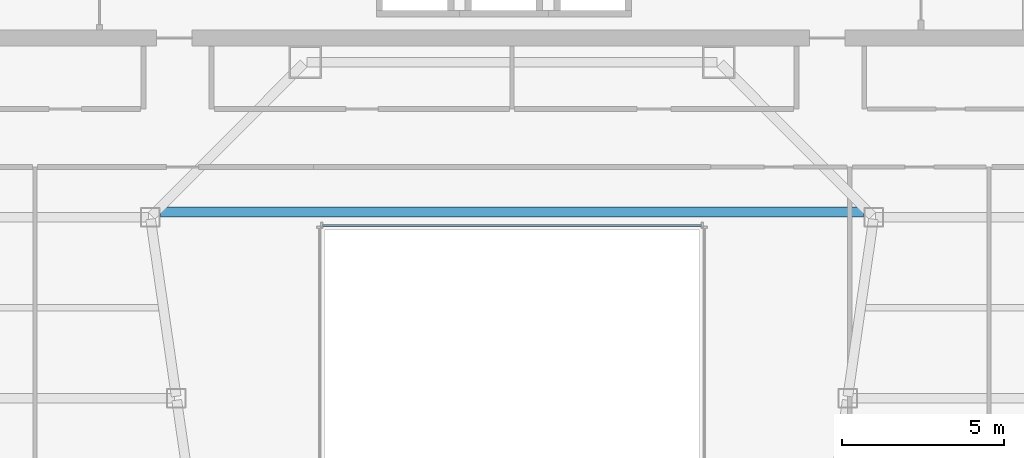
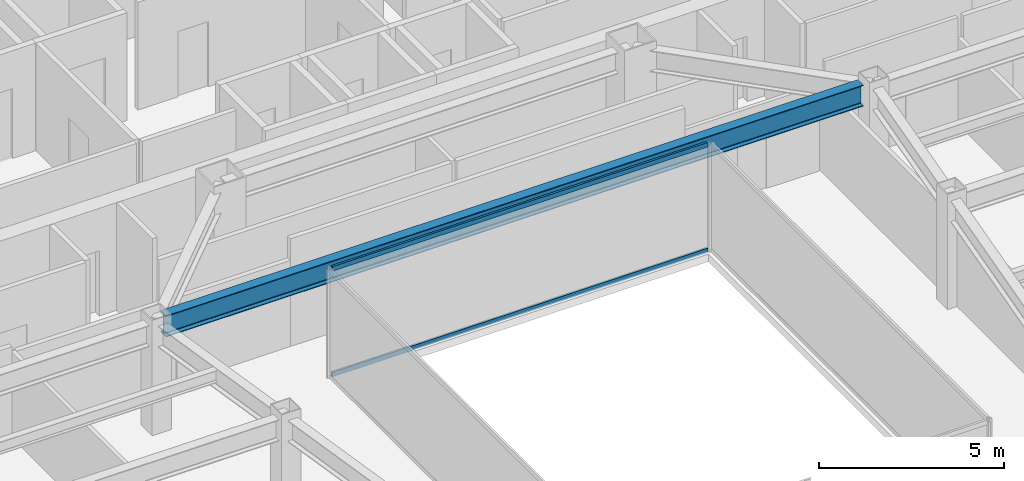
# One storey, part 12 of 37: 2 members, 1 beam, 1 element without a shape of its own.
"""IFC4 building model written with IfcOpenShell, lengths in metres."""

from ifc_helpers import new_model, si_unit, direction, frame, origin, origin_2d, place, context, subcontext, project, spatial, hollow_rectangle, i_section, extrude, material, material_profile, profile_set, type_object, element, aggregate, save


model = new_model("IFC4")

# Units and contexts
model_context = context("Model", 3, precision=1e-05, world=origin(), true_north=direction((0.0, 1.0)))
body_context = subcontext(model_context, "Body", "Model", "MODEL_VIEW")
ifc_project = project(units=[si_unit("LENGTHUNIT", "METRE"), si_unit("AREAUNIT", "SQUARE_METRE"), si_unit("VOLUMEUNIT", "CUBIC_METRE"), si_unit("PLANEANGLEUNIT", "RADIAN"), si_unit("MASSUNIT", "GRAM", prefix="KILO")], contexts=[model_context])

# Site, building, storey
site_placement = place(None, origin())
site = spatial("IfcSite", under=ifc_project, at=site_placement, CompositionType="ELEMENT")
building_placement = place(site_placement, origin())
building = spatial("IfcBuilding", under=site, at=building_placement, Name="Saevonmaru Cultural Tower", CompositionType="ELEMENT")
storey_placement = place(building_placement, frame((0.0, 0.0, 141.0)))
storey = spatial("IfcBuildingStorey", under=building, at=storey_placement, Name="L30", CompositionType="ELEMENT", Elevation=141.0)

# Beam
ifc_material_1 = material(Name="Steel SM355", Category="steel")
ifc_material_profile_1 = material_profile(ifc_material_1, i_section(OverallWidth=0.300048828125, OverallDepth=0.699951171875, WebThickness=0.012939453125, FlangeThickness=0.02392578125, FilletRadius=0.02587890625, at=origin_2d()), Name="H-700x300x13x24")
ifc_profile_set_1 = profile_set([ifc_material_profile_1], Name="Steel SM355")
beam_type = type_object("IfcBeamType", Name="BM-G-H700", PredefinedType="BEAM", material=ifc_profile_set_1)
beam_placement = place(storey_placement, frame((19.125732421875, 37.760009765625, 3.199951171875), z_axis=(1.0, 0.0, 0.0), x_axis=(0.0, 1.0, 0.0)))
element("IfcBeam", 1, at=beam_placement, inside=storey, type_object=beam_type, Name="L30 Central Link Girder", PredefinedType="BEAM", context=body_context, shape_type="SweptSolid", body=[
    extrude(i_section(OverallWidth=0.300048828125, OverallDepth=0.699951171875, WebThickness=0.012939453125, FlangeThickness=0.02392578125, FilletRadius=0.02587890625, at=origin_2d()), origin(), (0.0, 0.0, 1.0), 21.74853515625),
])

# Curtain wall, members
ifc_material_2 = material(Name="Satin Bronze Anodised Aluminium", Category="aluminium")
curtain_wall_type = type_object("IfcCurtainWallType", Name="CW-ATR-GLZ", PredefinedType="NOTDEFINED", material=ifc_material_2)
curtain_wall_placement = place(storey_placement, origin())
curtain_wall = element("IfcCurtainWall", 2, at=curtain_wall_placement, inside=storey, type_object=curtain_wall_type, Name="L30 Vertical Atrium Glazed Smoke Screen 3", PredefinedType="NOTDEFINED")
ifc_material_profile_2 = material_profile(ifc_material_2, hollow_rectangle(XDim=0.06494140625, YDim=0.14990234375, WallThickness=0.00390625, at=origin_2d()), Name="ALU-TRAN-150x65x4")
ifc_profile_set_2 = profile_set([ifc_material_profile_2], Name="Satin Bronze Anodised Aluminium")
member_type = type_object("IfcMemberType", Name="TR-CW-INT-150x65", PredefinedType="USERDEFINED", material=ifc_profile_set_2)
member_1_placement = place(storey_placement, frame((35.857421875, 37.35009765625, 0.032470703125), z_axis=(-1.0, 0.0, 0.0), x_axis=(0.0, -1.0, 0.0)))
member_1 = element("IfcMember", 3, at=member_1_placement, type_object=member_type, Name="CW-ATR-L30-3 transom 1.1", ObjectType="TRANSOM", PredefinedType="USERDEFINED", context=body_context, shape_type="SweptSolid", body=[
    extrude(hollow_rectangle(XDim=0.06494140625, YDim=0.14990234375, WallThickness=0.00390625, at=origin_2d()), origin(), (0.0, 0.0, 1.0), 11.71484375),
])
member_2_placement = place(storey_placement, frame((35.857421875, 37.35009765625, 3.517578125), z_axis=(-1.0, 0.0, 0.0), x_axis=(0.0, -1.0, 0.0)))
member_2 = element("IfcMember", 4, at=member_2_placement, type_object=member_type, Name="CW-ATR-L30-3 transom 1.2", ObjectType="TRANSOM", PredefinedType="USERDEFINED", context=body_context, shape_type="SweptSolid", body=[
    extrude(hollow_rectangle(XDim=0.06494140625, YDim=0.14990234375, WallThickness=0.00390625, at=origin_2d()), origin(), (0.0, 0.0, 1.0), 11.71484375),
])
aggregate(curtain_wall, [member_1, member_2])

save(model, "model.ifc")
